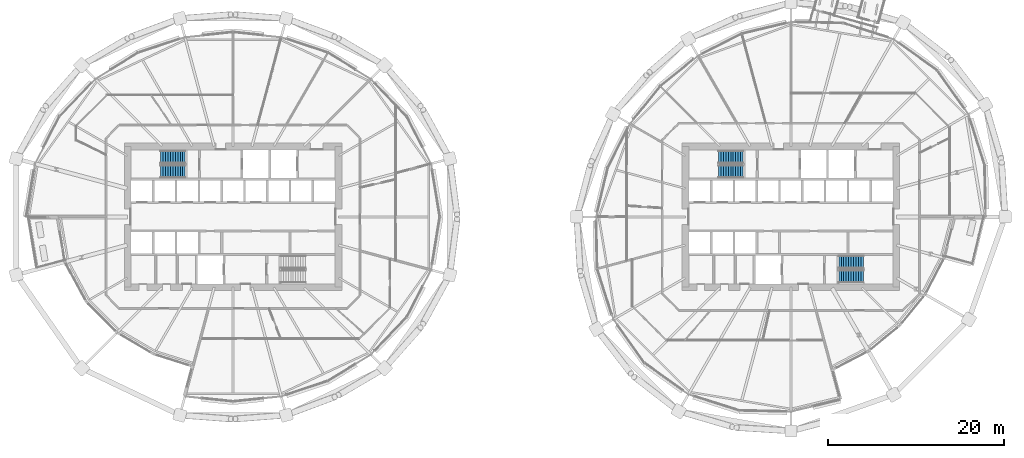
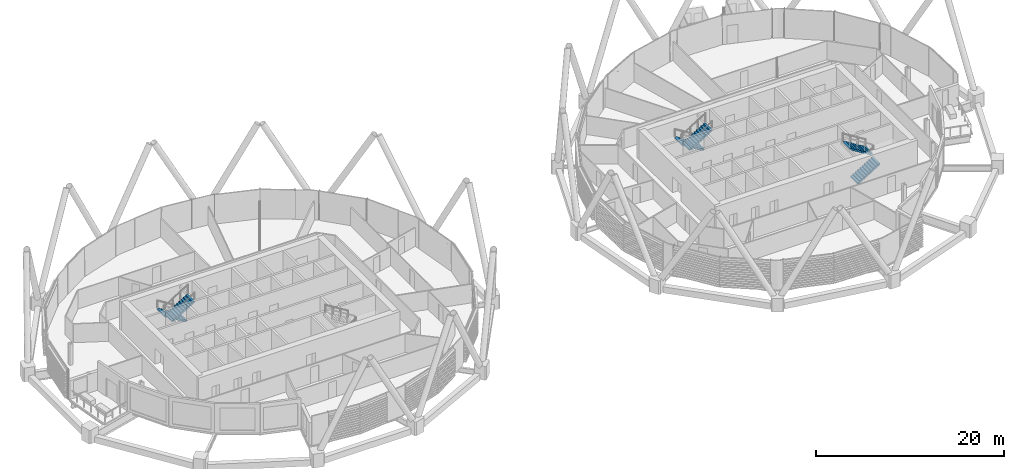
# One storey, part 30 of 38: 6 stair flights, 3 elements without a shape of their own.
"""IFC4 building model written with IfcOpenShell, lengths in metres."""

from ifc_helpers import new_model, si_unit, direction, frame, origin, place, context, subcontext, project, spatial, polyline, outline, extrude, material, type_object, element, aggregate, save


model = new_model("IFC4")

# Units and contexts
model_context = context("Model", 3, precision=1e-05, world=origin(), true_north=direction((0.0, 1.0)))
body_context = subcontext(model_context, "Body", "Model", "MODEL_VIEW")
ifc_project = project(units=[si_unit("LENGTHUNIT", "METRE"), si_unit("AREAUNIT", "SQUARE_METRE"), si_unit("VOLUMEUNIT", "CUBIC_METRE"), si_unit("PLANEANGLEUNIT", "RADIAN"), si_unit("MASSUNIT", "GRAM", prefix="KILO")], contexts=[model_context])

# Site, building, storey
site_placement = place(None, origin())
site = spatial("IfcSite", under=ifc_project, at=site_placement, CompositionType="ELEMENT")
building_placement = place(site_placement, origin())
building = spatial("IfcBuilding", under=site, at=building_placement, Name="Rimbun Link Towers", CompositionType="ELEMENT")
storey_placement = place(building_placement, frame((0.0, 0.0, 93.0)))
storey = spatial("IfcBuildingStorey", under=building, at=storey_placement, Name="L22", CompositionType="ELEMENT", Elevation=93.0)

# Stair, stair flights
ifc_material_1 = material(Name="Concrete C40/50", Category="concrete")
stair_type = type_object("IfcStairType", Name="Exit stair 3800 rise", PredefinedType="HALF_TURN_STAIR", material=ifc_material_1)
stair_1_placement = place(storey_placement, origin())
stair_1 = element("IfcStair", 1, at=stair_1_placement, inside=storey, type_object=stair_type, Name="L22 EXIT STAIR A", PredefinedType="HALF_TURN_STAIR")
ifc_material_2 = material(Name="Concrete C40/50", Category="concrete")
stair_flight_type = type_object("IfcStairFlightType", Name="Exit stair flight 3800 rise", PredefinedType="STRAIGHT", material=ifc_material_2)
stair_flight_1_placement = place(storey_placement, frame((-37.199951171875, 6.800048828125, 0.0), z_axis=(0.0, 0.0, 1.0), x_axis=(-1.0, 0.0, 0.0)))
stair_flight_1 = element("IfcStairFlight", 2, at=stair_flight_1_placement, type_object=stair_flight_type, Name="ST1 flight 1", NumberOfRisers=11, NumberOfTreads=10, PredefinedType="STRAIGHT", RiserHeight=0.172727273, TreadLength=0.28, context=body_context, shape_type="SweptSolid", body=[
    extrude(outline(polyline([(0.0, 0.0), (0.0, 0.172607421875), (0.280029296875, 0.172607421875), (0.280029296875, 0.345458984375), (0.56005859375, 0.345458984375), (0.56005859375, 0.51806640625), (0.840087890625, 0.51806640625), (0.840087890625, 0.69091796875), (1.1201171875, 0.69091796875), (1.1201171875, 0.863525390625), (1.39990234375, 0.863525390625), (1.39990234375, 1.036376953125), (1.679931640625, 1.036376953125), (1.679931640625, 1.208984375), (1.9599609375, 1.208984375), (1.9599609375, 1.3818359375), (2.239990234375, 1.3818359375), (2.239990234375, 1.554443359375), (2.52001953125, 1.554443359375), (2.52001953125, 1.727294921875), (2.800048828125, 1.727294921875), (2.800048828125, 1.89990234375), (2.800048828125, 1.551025390625), (0.280029296875, 0.0), (0.0, 0.0)])), frame((0.0, 0.75, 0.0), z_axis=(0.0, -1.0, 0.0), x_axis=(1.0, 0.0, 0.0)), (0.0, 0.0, 1.0), 1.5),
])
stair_flight_2_placement = place(storey_placement, frame((-40.0, 5.14990234375, 1.89990234375), z_axis=(0.0, 0.0, 1.0), x_axis=(1.0, 0.0, 0.0)))
stair_flight_2 = element("IfcStairFlight", 3, at=stair_flight_2_placement, type_object=stair_flight_type, Name="ST1 flight 2", NumberOfRisers=11, NumberOfTreads=10, PredefinedType="STRAIGHT", RiserHeight=0.172727273, TreadLength=0.28, context=body_context, shape_type="SweptSolid", body=[
    extrude(outline(polyline([(0.0, 0.0), (0.0, 0.172607421875), (0.280029296875, 0.172607421875), (0.280029296875, 0.345458984375), (0.56005859375, 0.345458984375), (0.56005859375, 0.51806640625), (0.840087890625, 0.51806640625), (0.840087890625, 0.69091796875), (1.1201171875, 0.69091796875), (1.1201171875, 0.863525390625), (1.39990234375, 0.863525390625), (1.39990234375, 1.036376953125), (1.679931640625, 1.036376953125), (1.679931640625, 1.208984375), (1.9599609375, 1.208984375), (1.9599609375, 1.3818359375), (2.239990234375, 1.3818359375), (2.239990234375, 1.554443359375), (2.52001953125, 1.554443359375), (2.52001953125, 1.727294921875), (2.800048828125, 1.727294921875), (2.800048828125, 1.89990234375), (2.800048828125, 1.551025390625), (0.280029296875, 0.0), (0.0, 0.0)])), frame((0.0, 0.75, 0.0), z_axis=(0.0, -1.0, 0.0), x_axis=(1.0, 0.0, 0.0)), (0.0, 0.0, 1.0), 1.5),
])
aggregate(stair_1, [stair_flight_1, stair_flight_2])

stair_2_placement = place(storey_placement, origin())
stair_2 = element("IfcStair", 4, at=stair_2_placement, inside=storey, type_object=stair_type, Name="L22 EXIT STAIR A", PredefinedType="HALF_TURN_STAIR")
stair_flight_3_placement = place(storey_placement, frame((26.300048828125, 6.800048828125, 0.0), z_axis=(0.0, 0.0, 1.0), x_axis=(-1.0, 0.0, 0.0)))
stair_flight_3 = element("IfcStairFlight", 5, at=stair_flight_3_placement, type_object=stair_flight_type, Name="ST3 flight 1", NumberOfRisers=11, NumberOfTreads=10, PredefinedType="STRAIGHT", RiserHeight=0.172727273, TreadLength=0.28, context=body_context, shape_type="SweptSolid", body=[
    extrude(outline(polyline([(0.0, 0.0), (0.0, 0.172607421875), (0.280029296875, 0.172607421875), (0.280029296875, 0.345458984375), (0.56005859375, 0.345458984375), (0.56005859375, 0.51806640625), (0.840087890625, 0.51806640625), (0.840087890625, 0.69091796875), (1.1201171875, 0.69091796875), (1.1201171875, 0.863525390625), (1.39990234375, 0.863525390625), (1.39990234375, 1.036376953125), (1.679931640625, 1.036376953125), (1.679931640625, 1.208984375), (1.9599609375, 1.208984375), (1.9599609375, 1.3818359375), (2.239990234375, 1.3818359375), (2.239990234375, 1.554443359375), (2.52001953125, 1.554443359375), (2.52001953125, 1.727294921875), (2.800048828125, 1.727294921875), (2.800048828125, 1.89990234375), (2.800048828125, 1.551025390625), (0.280029296875, 0.0), (0.0, 0.0)])), frame((0.0, 0.75, 0.0), z_axis=(0.0, -1.0, 0.0), x_axis=(1.0, 0.0, 0.0)), (0.0, 0.0, 1.0), 1.5),
])
stair_flight_4_placement = place(storey_placement, frame((23.5, 5.14990234375, 1.89990234375), z_axis=(0.0, 0.0, 1.0), x_axis=(1.0, 0.0, 0.0)))
stair_flight_4 = element("IfcStairFlight", 6, at=stair_flight_4_placement, type_object=stair_flight_type, Name="ST3 flight 2", NumberOfRisers=11, NumberOfTreads=10, PredefinedType="STRAIGHT", RiserHeight=0.172727273, TreadLength=0.28, context=body_context, shape_type="SweptSolid", body=[
    extrude(outline(polyline([(0.0, 0.0), (0.0, 0.172607421875), (0.280029296875, 0.172607421875), (0.280029296875, 0.345458984375), (0.56005859375, 0.345458984375), (0.56005859375, 0.51806640625), (0.840087890625, 0.51806640625), (0.840087890625, 0.69091796875), (1.1201171875, 0.69091796875), (1.1201171875, 0.863525390625), (1.39990234375, 0.863525390625), (1.39990234375, 1.036376953125), (1.679931640625, 1.036376953125), (1.679931640625, 1.208984375), (1.9599609375, 1.208984375), (1.9599609375, 1.3818359375), (2.239990234375, 1.3818359375), (2.239990234375, 1.554443359375), (2.52001953125, 1.554443359375), (2.52001953125, 1.727294921875), (2.800048828125, 1.727294921875), (2.800048828125, 1.89990234375), (2.800048828125, 1.551025390625), (0.280029296875, 0.0), (0.0, 0.0)])), frame((0.0, 0.75, 0.0), z_axis=(0.0, -1.0, 0.0), x_axis=(1.0, 0.0, 0.0)), (0.0, 0.0, 1.0), 1.5),
])
aggregate(stair_2, [stair_flight_3, stair_flight_4])

stair_3_placement = place(storey_placement, origin())
stair_3 = element("IfcStair", 7, at=stair_3_placement, inside=storey, type_object=stair_type, Name="L22 EXIT STAIR B", PredefinedType="HALF_TURN_STAIR")
stair_flight_5_placement = place(storey_placement, frame((37.199951171875, -6.800048828125, 0.0), z_axis=(0.0, 0.0, 1.0), x_axis=(1.0, 0.0, 0.0)))
stair_flight_5 = element("IfcStairFlight", 8, at=stair_flight_5_placement, type_object=stair_flight_type, Name="ST4 flight 1", NumberOfRisers=11, NumberOfTreads=10, PredefinedType="STRAIGHT", RiserHeight=0.172727273, TreadLength=0.28, context=body_context, shape_type="SweptSolid", body=[
    extrude(outline(polyline([(0.0, 0.0), (0.0, 0.172607421875), (0.280029296875, 0.172607421875), (0.280029296875, 0.345458984375), (0.56005859375, 0.345458984375), (0.56005859375, 0.51806640625), (0.840087890625, 0.51806640625), (0.840087890625, 0.69091796875), (1.1201171875, 0.69091796875), (1.1201171875, 0.863525390625), (1.39990234375, 0.863525390625), (1.39990234375, 1.036376953125), (1.679931640625, 1.036376953125), (1.679931640625, 1.208984375), (1.9599609375, 1.208984375), (1.9599609375, 1.3818359375), (2.239990234375, 1.3818359375), (2.239990234375, 1.554443359375), (2.52001953125, 1.554443359375), (2.52001953125, 1.727294921875), (2.800048828125, 1.727294921875), (2.800048828125, 1.89990234375), (2.800048828125, 1.551025390625), (0.280029296875, 0.0), (0.0, 0.0)])), frame((0.0, 0.75, 0.0), z_axis=(0.0, -1.0, 0.0), x_axis=(1.0, 0.0, 0.0)), (0.0, 0.0, 1.0), 1.5),
])
stair_flight_6_placement = place(storey_placement, frame((40.0, -5.14990234375, 1.89990234375), z_axis=(0.0, 0.0, 1.0), x_axis=(-1.0, 0.0, 0.0)))
stair_flight_6 = element("IfcStairFlight", 9, at=stair_flight_6_placement, type_object=stair_flight_type, Name="ST4 flight 2", NumberOfRisers=11, NumberOfTreads=10, PredefinedType="STRAIGHT", RiserHeight=0.172727273, TreadLength=0.28, context=body_context, shape_type="SweptSolid", body=[
    extrude(outline(polyline([(0.0, 0.0), (0.0, 0.172607421875), (0.280029296875, 0.172607421875), (0.280029296875, 0.345458984375), (0.56005859375, 0.345458984375), (0.56005859375, 0.51806640625), (0.840087890625, 0.51806640625), (0.840087890625, 0.69091796875), (1.1201171875, 0.69091796875), (1.1201171875, 0.863525390625), (1.39990234375, 0.863525390625), (1.39990234375, 1.036376953125), (1.679931640625, 1.036376953125), (1.679931640625, 1.208984375), (1.9599609375, 1.208984375), (1.9599609375, 1.3818359375), (2.239990234375, 1.3818359375), (2.239990234375, 1.554443359375), (2.52001953125, 1.554443359375), (2.52001953125, 1.727294921875), (2.800048828125, 1.727294921875), (2.800048828125, 1.89990234375), (2.800048828125, 1.551025390625), (0.280029296875, 0.0), (0.0, 0.0)])), frame((0.0, 0.75, 0.0), z_axis=(0.0, -1.0, 0.0), x_axis=(1.0, 0.0, 0.0)), (0.0, 0.0, 1.0), 1.5),
])
aggregate(stair_3, [stair_flight_5, stair_flight_6])

save(model, "model.ifc")
